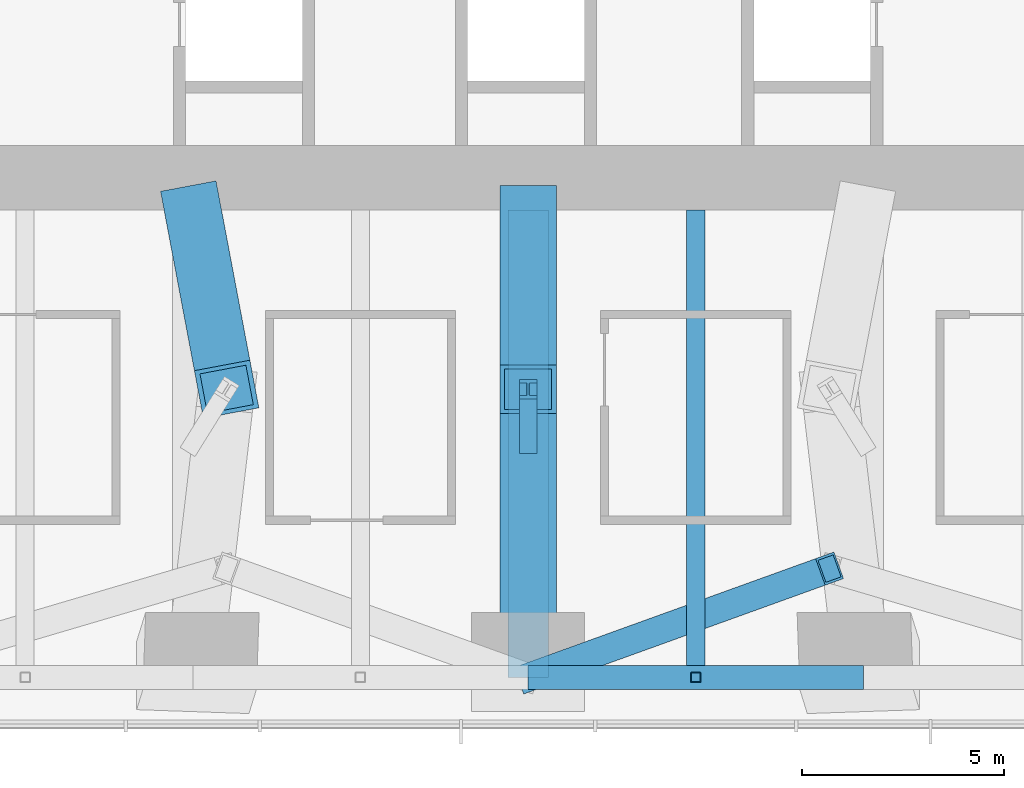
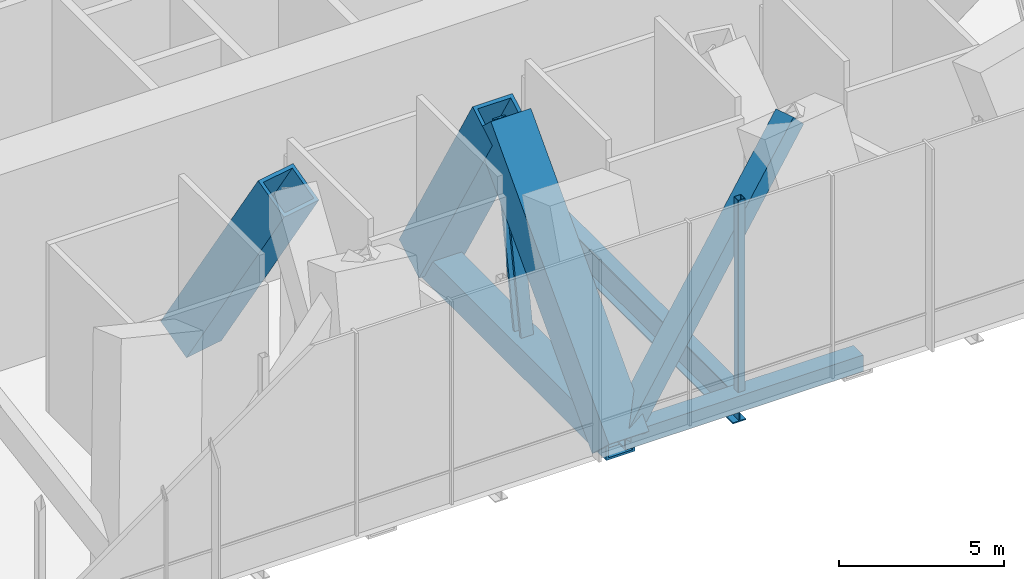
# One storey, part 3 of 16: 8 members, 1 beam.
"""IFC4 building model written with IfcOpenShell, lengths in metres."""

from ifc_helpers import new_model, si_unit, direction, frame, origin, origin_2d, place, context, subcontext, project, spatial, hollow_rectangle, i_section, extrude, material, material_profile, profile_set, type_object, element, save


model = new_model("IFC4")

# Units and contexts
model_context = context("Model", 3, precision=1e-05, world=origin(), true_north=direction((0.0, 1.0)))
body_context = subcontext(model_context, "Body", "Model", "MODEL_VIEW")
ifc_project = project(units=[si_unit("LENGTHUNIT", "METRE"), si_unit("AREAUNIT", "SQUARE_METRE"), si_unit("VOLUMEUNIT", "CUBIC_METRE"), si_unit("PLANEANGLEUNIT", "RADIAN"), si_unit("MASSUNIT", "GRAM", prefix="KILO")], contexts=[model_context])

# Site, building, storey
site_placement = place(None, origin())
site = spatial("IfcSite", under=ifc_project, at=site_placement, CompositionType="ELEMENT")
building_placement = place(site_placement, origin())
building = spatial("IfcBuilding", under=site, at=building_placement, Name="Khuree Lantern Residences", CompositionType="ELEMENT")
storey_placement = place(building_placement, frame((0.0, 0.0, 278.25)))
storey = spatial("IfcBuildingStorey", under=building, at=storey_placement, Name="L70", CompositionType="ELEMENT", Elevation=278.25)

# Beam
ifc_material = material(Name="Steel S355", Category="steel")
ifc_material_profile_1 = material_profile(ifc_material, i_section(OverallWidth=0.449951171875, OverallDepth=1.199951171875, WebThickness=0.02490234375, FlangeThickness=0.044921875, at=origin_2d()), Name="WELDED I 1200X450X25X45")
ifc_profile_set_1 = profile_set([ifc_material_profile_1], Name="Steel S355")
beam_type = type_object("IfcBeamType", Name="B-70 SECONDARY BEAM WELDED I 1200X450X25X45", PredefinedType="BEAM", material=ifc_profile_set_1)
beam_placement = place(storey_placement, frame((4.159912109375, -24.39990234375, -0.949951171875), z_axis=(0.0, 1.0, 0.0), x_axis=(-1.0, 0.0, 0.0)))
element("IfcBeam", 1, at=beam_placement, inside=storey, type_object=beam_type, Name="Secondary beam S3", PredefinedType="BEAM", context=body_context, shape_type="SweptSolid", body=[
    extrude(i_section(OverallWidth=0.449951171875, OverallDepth=1.199951171875, WebThickness=0.02490234375, FlangeThickness=0.044921875, at=origin_2d()), origin(), (0.0, 0.0, 1.0), 11.599853515625),
])

# Members
ifc_material_profile_2 = material_profile(ifc_material, hollow_rectangle(XDim=0.699951171875, YDim=0.699951171875, WallThickness=0.06005859375, at=origin_2d()), Name="WELDED BOX 700X700X60")
ifc_profile_set_2 = profile_set([ifc_material_profile_2], Name="Steel S355")
member_type_1 = type_object("IfcMemberType", Name="BD-70 BELT TRUSS DIAGONAL WELDED BOX 700X700X60", PredefinedType="BRACE", material=ifc_profile_set_2)
member_1_placement = place(storey_placement, frame((7.47998046875, -21.699951171875, 6.949951171875), z_axis=(-0.680004918854, -0.245452522932, -0.690902575853), x_axis=(0.339516210301, -0.940600203563, 0.0)))
element("IfcMember", 2, at=member_1_placement, inside=storey, type_object=member_type_1, Name="Belt truss diagonal S3", PredefinedType="BRACE", context=body_context, shape_type="SweptSolid", body=[
    extrude(hollow_rectangle(XDim=0.699951171875, YDim=0.699951171875, WallThickness=0.06005859375, at=origin_2d()), origin(), (0.0, 0.0, 1.0), 11.0),
])
ifc_material_profile_3 = material_profile(ifc_material, hollow_rectangle(XDim=0.60009765625, YDim=0.60009765625, WallThickness=0.050048828125, at=origin_2d()), Name="WELDED BOX 600X600X50")
ifc_profile_set_3 = profile_set([ifc_material_profile_3], Name="Steel S355")
member_type_2 = type_object("IfcMemberType", Name="BT-70 BELT TRUSS CHORD WELDED BOX 600X600X50", PredefinedType="CHORD", material=ifc_profile_set_3)
member_2_placement = place(storey_placement, frame((8.320068359375, -24.39990234375, -0.64990234375), z_axis=(-1.0, 0.0, 0.0), x_axis=(0.0, -1.0, 0.0)))
element("IfcMember", 3, at=member_2_placement, inside=storey, type_object=member_type_2, Name="Belt truss chord S3", PredefinedType="CHORD", context=body_context, shape_type="SweptSolid", body=[
    extrude(hollow_rectangle(XDim=0.60009765625, YDim=0.60009765625, WallThickness=0.050048828125, at=origin_2d()), origin(), (0.0, 0.0, 1.0), 8.320068359375),
])
ifc_material_profile_4 = material_profile(ifc_material, hollow_rectangle(XDim=1.39990234375, YDim=1.39990234375, WallThickness=0.1201171875, at=origin_2d()), Name="WELDED BOX 1400X1400X120")
ifc_profile_set_4 = profile_set([ifc_material_profile_4], Name="Steel S355")
member_type_3 = type_object("IfcMemberType", Name="OD-70 OUTRIGGER TRUSS DIAGONAL WELDED BOX 1400X1400X120", PredefinedType="BRACE", material=ifc_profile_set_4)
member_3_placement = place(storey_placement, frame((0.0, -12.800048828125, -0.85009765625), z_axis=(0.0, -0.505273366946, 0.862959341253), x_axis=(1.0, 0.0, 0.0)))
element("IfcMember", 4, at=member_3_placement, inside=storey, type_object=member_type_3, Name="Outrigger diagonal S3 core side", PredefinedType="BRACE", context=body_context, shape_type="SweptSolid", body=[
    extrude(hollow_rectangle(XDim=1.39990234375, YDim=1.39990234375, WallThickness=0.1201171875, at=origin_2d()), origin(), (0.0, 0.0, 1.0), 8.80712890625),
])
member_4_placement = place(storey_placement, frame((0.0, -17.25, 6.75), z_axis=(0.0, -0.685205582805, -0.72834971634), x_axis=(1.0, 0.0, 0.0)))
element("IfcMember", 5, at=member_4_placement, inside=storey, type_object=member_type_3, Name="Outrigger diagonal S3 column side", PredefinedType="BRACE", context=body_context, shape_type="SweptSolid", body=[
    extrude(hollow_rectangle(XDim=1.39990234375, YDim=1.39990234375, WallThickness=0.1201171875, at=origin_2d()), origin(), (0.0, 0.0, 1.0), 10.4345703125),
])
member_5_placement = place(storey_placement, frame((-8.320068359375, -12.800048828125, -0.85009765625), z_axis=(0.09495744197, -0.502990204822, 0.859059915296), x_axis=(0.982642559949, 0.185509027749, 0.0)))
element("IfcMember", 6, at=member_5_placement, inside=storey, type_object=member_type_3, Name="Outrigger diagonal S4 core side", PredefinedType="BRACE", context=body_context, shape_type="SweptSolid", body=[
    extrude(hollow_rectangle(XDim=1.39990234375, YDim=1.39990234375, WallThickness=0.1201171875, at=origin_2d()), origin(), (0.0, 0.0, 1.0), 8.846923828125),
])
ifc_material_profile_5 = material_profile(ifc_material, i_section(OverallWidth=0.431884765625, OverallDepth=0.498046875, WebThickness=0.0556640625, FlangeThickness=0.0888671875, FilletRadius=0.014892578125, at=origin_2d()), Name="HD 400X744")
ifc_profile_set_5 = profile_set([ifc_material_profile_5], Name="Steel S355")
member_type_4 = type_object("IfcMemberType", Name="OP-70 OUTRIGGER TRUSS POST HD 400X744", PredefinedType="POST", material=ifc_profile_set_5)
member_6_placement = place(storey_placement, frame((0.0, -18.60009765625, -0.85009765625), z_axis=(0.0, 0.174903883222, 0.984585512606), x_axis=(-1.0, 0.0, 0.0)))
element("IfcMember", 7, at=member_6_placement, inside=storey, type_object=member_type_4, Name="Outrigger post S3", PredefinedType="POST", context=body_context, shape_type="SweptSolid", body=[
    extrude(i_section(OverallWidth=0.431884765625, OverallDepth=0.498046875, WebThickness=0.0556640625, FlangeThickness=0.0888671875, FilletRadius=0.014892578125, at=origin_2d()), origin(), (0.0, 0.0, 1.0), 7.718994140625),
])
ifc_material_profile_6 = material_profile(ifc_material, hollow_rectangle(XDim=1.0, YDim=1.0, WallThickness=0.080078125, at=origin_2d()), Name="WELDED BOX 1000X1000X80")
ifc_profile_set_6 = profile_set([ifc_material_profile_6], Name="Steel S355")
member_type_5 = type_object("IfcMemberType", Name="OT-70 OUTRIGGER TRUSS CHORD WELDED BOX 1000X1000X80", PredefinedType="CHORD", material=ifc_profile_set_6)
member_7_placement = place(storey_placement, frame((0.0, -24.39990234375, -0.85009765625), z_axis=(0.0, 1.0, 0.0), x_axis=(-1.0, 0.0, 0.0)))
element("IfcMember", 8, at=member_7_placement, inside=storey, type_object=member_type_5, Name="Outrigger chord S3", PredefinedType="CHORD", context=body_context, shape_type="SweptSolid", body=[
    extrude(hollow_rectangle(XDim=1.0, YDim=1.0, WallThickness=0.080078125, at=origin_2d()), origin(), (0.0, 0.0, 1.0), 11.599853515625),
])
ifc_material_profile_7 = material_profile(ifc_material, hollow_rectangle(XDim=0.25, YDim=0.25, WallThickness=0.012451171875, InnerFilletRadius=0.012451171875, OuterFilletRadius=0.018798828125, at=origin_2d()), Name="SHS 250X250X12.5")
ifc_profile_set_7 = profile_set([ifc_material_profile_7], Name="Steel S355")
member_type_6 = type_object("IfcMemberType", Name="TP1 TERRACE POST SHS 250X250X12.5", PredefinedType="POST", material=ifc_profile_set_7)
member_8_placement = place(storey_placement, frame((4.159912109375, -24.39990234375, -0.35009765625), z_axis=(0.0, 0.0, 1.0), x_axis=(1.0, 0.0, 0.0)))
element("IfcMember", 9, at=member_8_placement, inside=storey, type_object=member_type_6, Name="Terrace post S3", PredefinedType="POST", context=body_context, shape_type="SweptSolid", body=[
    extrude(hollow_rectangle(XDim=0.25, YDim=0.25, WallThickness=0.012451171875, InnerFilletRadius=0.012451171875, OuterFilletRadius=0.018798828125, at=origin_2d()), origin(), (0.0, 0.0, 1.0), 7.10009765625),
])

save(model, "model.ifc")
